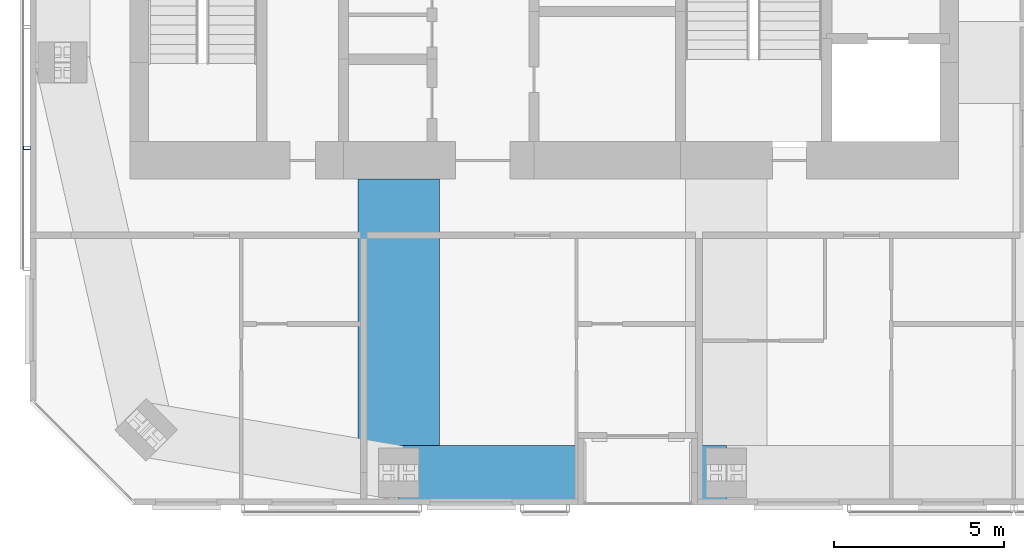
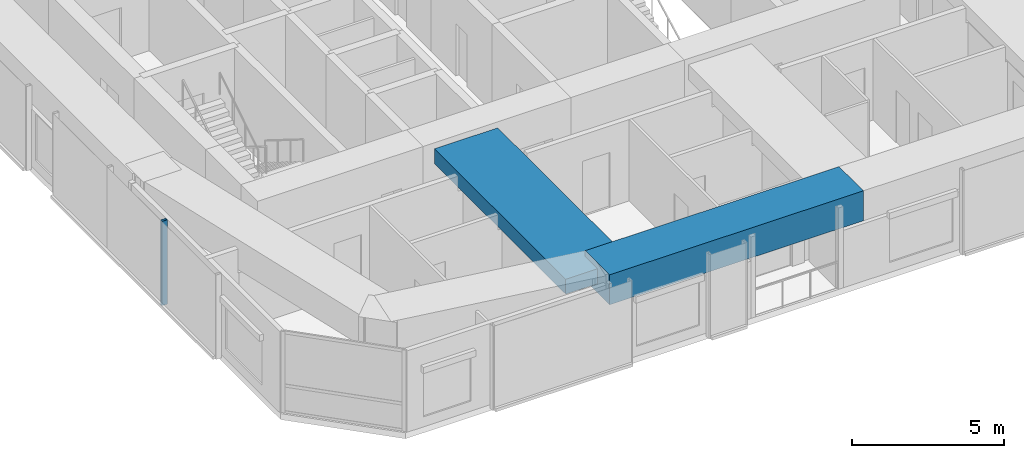
# One storey, part 3 of 20: 2 beams, 1 member, 1 element without a shape of its own.
"""IFC4 building model written with IfcOpenShell, lengths in metres."""

from ifc_helpers import new_model, si_unit, direction, frame, origin, origin_2d, place, context, subcontext, project, spatial, rectangle, hollow_rectangle, extrude, material, material_profile, profile_set, type_object, element, aggregate, save


model = new_model("IFC4")

# Units and contexts
model_context = context("Model", 3, precision=1e-05, world=origin(), true_north=direction((0.0, 1.0)))
body_context = subcontext(model_context, "Body", "Model", "MODEL_VIEW")
ifc_project = project(units=[si_unit("LENGTHUNIT", "METRE"), si_unit("AREAUNIT", "SQUARE_METRE"), si_unit("VOLUMEUNIT", "CUBIC_METRE"), si_unit("PLANEANGLEUNIT", "RADIAN"), si_unit("MASSUNIT", "GRAM", prefix="KILO")], contexts=[model_context])

# Site, building, storey
site_placement = place(None, origin())
site = spatial("IfcSite", under=ifc_project, at=site_placement, CompositionType="ELEMENT")
building_placement = place(site_placement, origin())
building = spatial("IfcBuilding", under=site, at=building_placement, Name="Jalousie Tower", CompositionType="ELEMENT")
storey_placement = place(building_placement, frame((0.0, 0.0, 238.949951171875)))
storey = spatial("IfcBuildingStorey", under=building, at=storey_placement, Name="L65", CompositionType="ELEMENT", Elevation=238.949951171875)

# Beams
ifc_material_1 = material(Name="Concrete f'c 40 MPa", Category="concrete")
ifc_material_profile_1 = material_profile(ifc_material_1, rectangle(XDim=1.60009765625, YDim=1.199951171875, at=origin_2d()), Name="RC 1600x1200")
ifc_profile_set_1 = profile_set([ifc_material_profile_1], Name="Concrete f'c 40 MPa")
beam_type_1 = type_object("IfcBeamType", Name="RC BEAM 1600x1200", PredefinedType="BEAM", material=ifc_profile_set_1)
beam_1_placement = place(storey_placement, frame((27.625, 0.949951171875, 2.900146484375), z_axis=(1.0, 0.0, 0.0), x_axis=(0.0, 1.0, 0.0)))
element("IfcBeam", 1, at=beam_1_placement, inside=storey, type_object=beam_type_1, Name="Edge band beam 02-03 under L66", PredefinedType="BEAM", context=body_context, shape_type="SweptSolid", body=[
    extrude(rectangle(XDim=1.60009765625, YDim=1.199951171875, at=origin_2d()), origin(), (0.0, 0.0, 1.0), 9.625),
])
ifc_material_2 = material(Name="Concrete f'c 40 MPa", Category="concrete")
ifc_material_profile_2 = material_profile(ifc_material_2, rectangle(XDim=2.39990234375, YDim=0.60009765625, at=origin_2d()), Name="RC 2400x600")
ifc_profile_set_2 = profile_set([ifc_material_profile_2], Name="Concrete f'c 40 MPa")
beam_type_2 = type_object("IfcBeamType", Name="RC BEAM 2400x600", PredefinedType="BEAM", material=ifc_profile_set_2)
beam_2_placement = place(storey_placement, frame((27.625, 0.949951171875, 2.9599609375), z_axis=(0.0, 1.0, 0.0), x_axis=(-1.0, 0.0, 0.0)))
element("IfcBeam", 2, at=beam_2_placement, inside=storey, type_object=beam_type_2, Name="Floor band beam under L66", PredefinedType="BEAM", context=body_context, shape_type="SweptSolid", body=[
    extrude(rectangle(XDim=2.39990234375, YDim=0.60009765625, at=origin_2d()), origin(), (0.0, 0.0, 1.0), 8.625),
])

# Curtain wall, member
ifc_material_3 = material(Name="Perforated aluminium sheet", Category="aluminium")
curtain_wall_type = type_object("IfcCurtainWallType", Name="SOLAR SCREEN SS-2", PredefinedType="USERDEFINED", material=ifc_material_3)
curtain_wall_placement = place(storey_placement, origin())
curtain_wall = element("IfcCurtainWall", 3, at=curtain_wall_placement, inside=storey, type_object=curtain_wall_type, Name="Solar screen L65", ObjectType="SOLAR SCREEN SS-2", PredefinedType="USERDEFINED")
ifc_material_4 = material(Name="Steel ASTM A500 Grade C", Category="steel")
ifc_material_profile_3 = material_profile(ifc_material_4, hollow_rectangle(XDim=0.1015625, YDim=0.203125, WallThickness=0.0078125, at=origin_2d()), Name="HSS8X4X5/16")
ifc_profile_set_3 = profile_set([ifc_material_profile_3], Name="Steel ASTM A500 Grade C")
member_type = type_object("IfcMemberType", Name="SOLAR SCREEN SS-2 MULLION", PredefinedType="MULLION", material=ifc_profile_set_3)
member_placement = place(storey_placement, frame((16.703369140625, 10.4921875, -0.119873046875), z_axis=(0.0, 0.0, 1.0), x_axis=(0.0, -1.0, 0.0)))
member = element("IfcMember", 4, at=member_placement, type_object=member_type, Name="SS2 post 3", PredefinedType="MULLION", context=body_context, shape_type="SweptSolid", body=[
    extrude(hollow_rectangle(XDim=0.1015625, YDim=0.203125, WallThickness=0.0078125, at=origin_2d()), origin(), (0.0, 0.0, 1.0), 3.3798828125),
])
aggregate(curtain_wall, [member])

save(model, "model.ifc")
